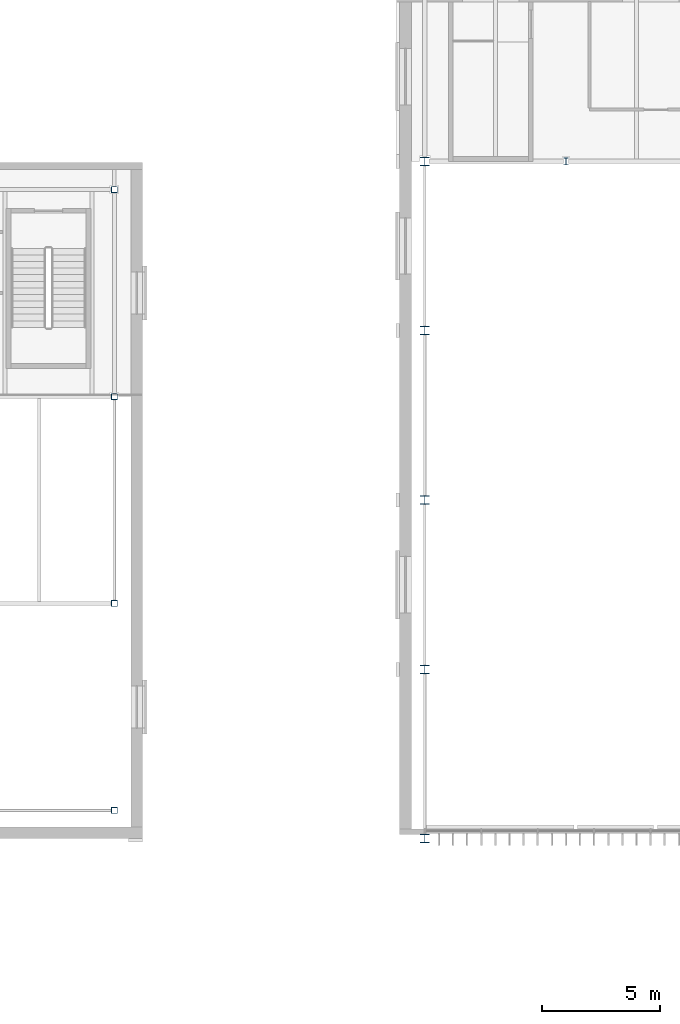
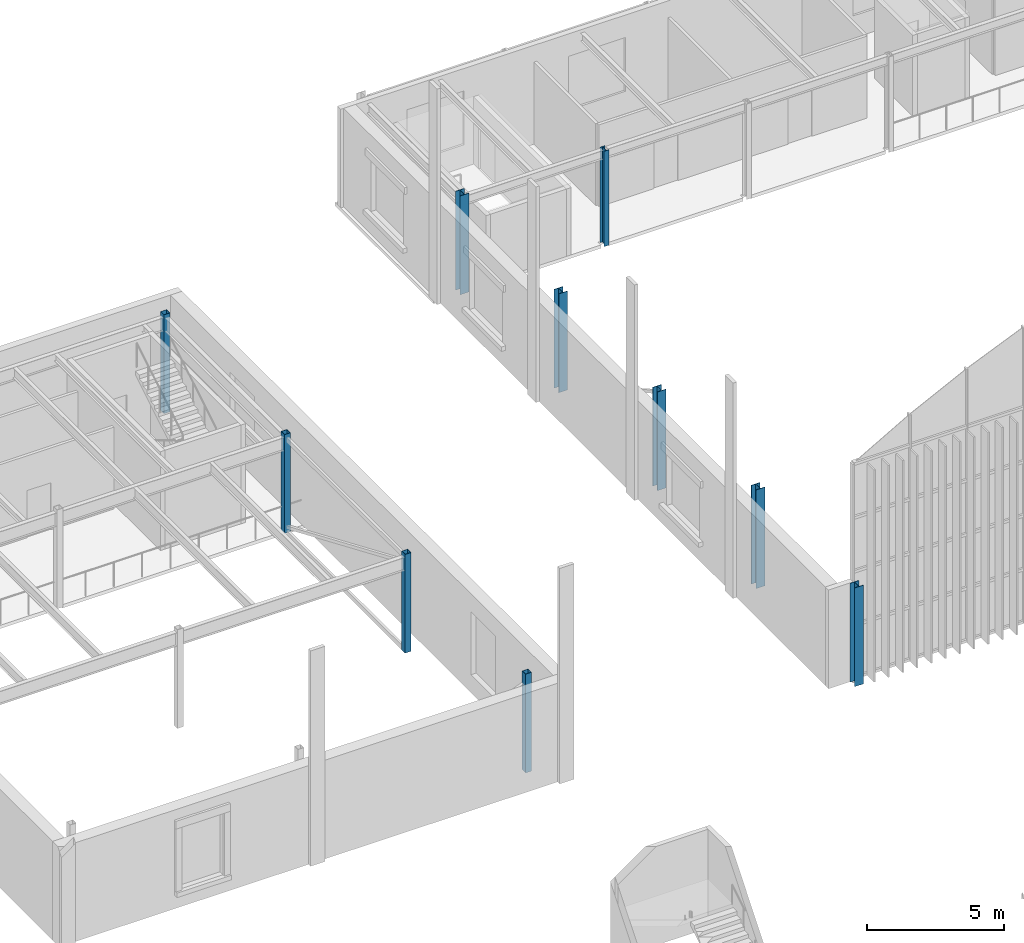
# One storey, part 12 of 169: 10 columns.
"""IFC4 building model written with IfcOpenShell, lengths in metres."""

from ifc_helpers import new_model, si_unit, direction, frame, origin, origin_2d, place, context, subcontext, project, spatial, hollow_rectangle, i_section, extrude, material, material_profile, profile_set, type_object, element, save


model = new_model("IFC4")

# Units and contexts
model_context = context("Model", 3, precision=1e-05, world=origin(), true_north=direction((0.0, 1.0)))
body_context = subcontext(model_context, "Body", "Model", "MODEL_VIEW")
ifc_project = project(units=[si_unit("LENGTHUNIT", "METRE"), si_unit("AREAUNIT", "SQUARE_METRE"), si_unit("VOLUMEUNIT", "CUBIC_METRE"), si_unit("PLANEANGLEUNIT", "RADIAN"), si_unit("MASSUNIT", "GRAM", prefix="KILO")], contexts=[model_context])

# Site, building, storey
site_placement = place(None, origin())
site = spatial("IfcSite", under=ifc_project, at=site_placement, CompositionType="ELEMENT")
building_placement = place(site_placement, origin())
building = spatial("IfcBuilding", under=site, at=building_placement, Name="Verrick Yard Athletic Hall", CompositionType="ELEMENT")
storey_placement = place(building_placement, frame((0.0, 0.0, 4.39990234375)))
storey = spatial("IfcBuildingStorey", under=building, at=storey_placement, Name="L01", CompositionType="ELEMENT", Elevation=4.39990234375)

# Columns
ifc_material_1 = material(Name="Structural steel HSS Class C 350W (CSA G40.20/G40.21)", Category="steel")
ifc_material_profile_1 = material_profile(ifc_material_1, hollow_rectangle(XDim=0.25390625, YDim=0.25390625, WallThickness=0.0126953125, at=origin_2d()), Name="HSS254x254x13")
ifc_profile_set_1 = profile_set([ifc_material_profile_1], Name="Structural steel HSS Class C 350W (CSA G40.20/G40.21)")
column_type_1 = type_object("IfcColumnType", Name="HB column HSS254x254x13", PredefinedType="COLUMN", material=ifc_profile_set_1)
for number, where, z_axis, x_axis, name in (
    (1, (108.39990234375, 73.199951171875, 0.0), (0.0, 0.0, 1.0), (1.0, 0.0, 0.0), "HB-C-CH31-L01"),
    (2, (108.39990234375, 82.0, 0.0), (0.0, 0.0, 1.0), (1.0, 0.0, 0.0), "HB-C-CH32-L01"),
    (3, (108.39990234375, 90.800048828125, 0.0), (0.0, 0.0, 1.0), (1.0, 0.0, 0.0), "HB-C-CH33-L01"),
    (4, (108.39990234375, 99.60009765625, 0.0), (0.0, 0.0, 1.0), (1.0, 0.0, 0.0), "HB-C-CH34-L01"),
):
    element("IfcColumn", number, at=place(storey_placement, frame(where, z_axis=z_axis, x_axis=x_axis)), inside=storey, type_object=column_type_1, Name=name, PredefinedType="COLUMN", context=body_context, shape_type="SweptSolid", body=[
        extrude(hollow_rectangle(XDim=0.25390625, YDim=0.25390625, WallThickness=0.0126953125, at=origin_2d()), origin(), (0.0, 0.0, 1.0), 4.400146484375),
    ])
ifc_material_2 = material(Name="Structural steel 350W (CSA G40.21)", Category="steel")
ifc_material_profile_2 = material_profile(ifc_material_2, i_section(OverallWidth=0.205078125, OverallDepth=0.31005859375, WebThickness=0.009521484375, FlangeThickness=0.016357421875, at=origin_2d()), Name="W310x74")
ifc_profile_set_2 = profile_set([ifc_material_profile_2], Name="Structural steel 350W (CSA G40.21)")
column_type_2 = type_object("IfcColumnType", Name="HB column W310x74", PredefinedType="COLUMN", material=ifc_profile_set_2)
column_placement = place(storey_placement, frame((127.60009765625, 100.800048828125, 0.0), z_axis=(0.0, 0.0, 1.0), x_axis=(1.0, 0.0, 0.0)))
element("IfcColumn", 5, at=column_placement, inside=storey, type_object=column_type_2, Name="HB-C-A-B1S-L01", PredefinedType="COLUMN", context=body_context, shape_type="SweptSolid", body=[
    extrude(i_section(OverallWidth=0.205078125, OverallDepth=0.31005859375, WebThickness=0.009521484375, FlangeThickness=0.016357421875, at=origin_2d()), origin(), (0.0, 0.0, 1.0), 4.25),
])
ifc_material_profile_3 = material_profile(ifc_material_2, i_section(OverallWidth=0.368896484375, OverallDepth=0.35595703125, WebThickness=0.01123046875, FlangeThickness=0.01806640625, at=origin_2d()), Name="W360x134")
ifc_profile_set_3 = profile_set([ifc_material_profile_3], Name="Structural steel 350W (CSA G40.21)")
column_type_3 = type_object("IfcColumnType", Name="HB column W360x134", PredefinedType="COLUMN", material=ifc_profile_set_3)
for number, where, z_axis, x_axis, name in (
    (6, (121.60009765625, 72.0, 0.0), (0.0, 0.0, 1.0), (1.0, 0.0, 0.0), "HB-C-HAW1-L01"),
    (7, (121.60009765625, 79.199951171875, 0.0), (0.0, 0.0, 1.0), (1.0, 0.0, 0.0), "HB-C-HAW2-L01"),
    (8, (121.60009765625, 86.39990234375, 0.0), (0.0, 0.0, 1.0), (1.0, 0.0, 0.0), "HB-C-HAW3-L01"),
    (9, (121.60009765625, 93.60009765625, 0.0), (0.0, 0.0, 1.0), (1.0, 0.0, 0.0), "HB-C-HAW4-L01"),
    (10, (121.60009765625, 100.800048828125, 0.0), (0.0, 0.0, 1.0), (1.0, 0.0, 0.0), "HB-C-HAW5-L01"),
):
    element("IfcColumn", number, at=place(storey_placement, frame(where, z_axis=z_axis, x_axis=x_axis)), inside=storey, type_object=column_type_3, Name=name, PredefinedType="COLUMN", context=body_context, shape_type="SweptSolid", body=[
        extrude(i_section(OverallWidth=0.368896484375, OverallDepth=0.35595703125, WebThickness=0.01123046875, FlangeThickness=0.01806640625, at=origin_2d()), origin(), (0.0, 0.0, 1.0), 4.400146484375),
    ])

save(model, "model.ifc")
